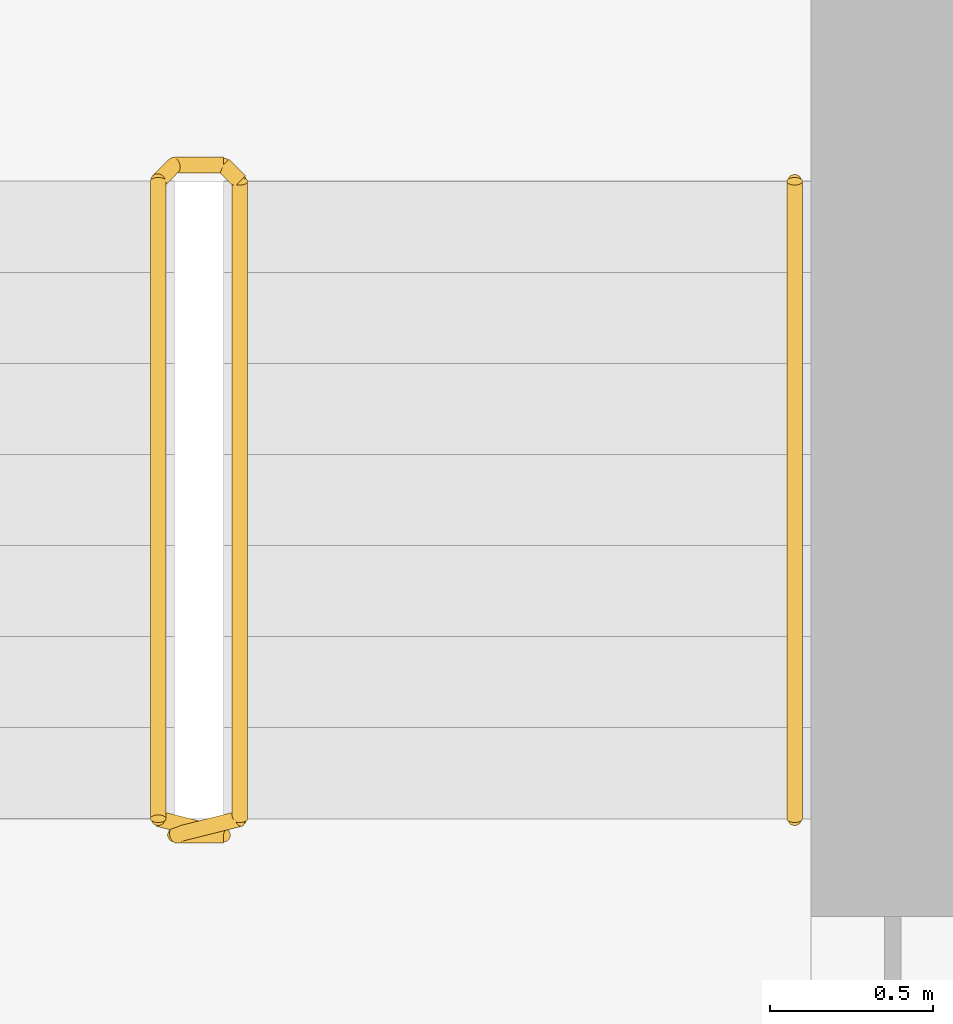
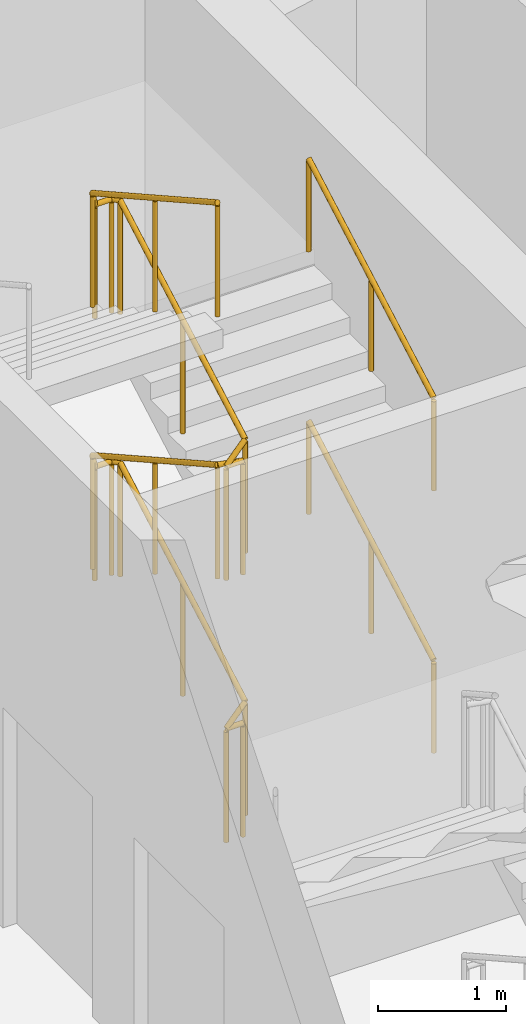
# One storey, part 9 of 9: 3 railings.
"""IFC4 building model written with IfcOpenShell, lengths in metres."""

from ifc_helpers import new_model, si_unit, direction, frame, origin, origin_2d, place, context, subcontext, project, spatial, circle, extrude, material, type_object, element, save


model = new_model("IFC4")

# Units and contexts
model_context = context("Model", 3, precision=1e-05, world=origin(), true_north=direction((0.0, 1.0)))
body_context = subcontext(model_context, "Body", "Model", "MODEL_VIEW")
ifc_project = project(units=[si_unit("LENGTHUNIT", "METRE"), si_unit("AREAUNIT", "SQUARE_METRE"), si_unit("VOLUMEUNIT", "CUBIC_METRE"), si_unit("PLANEANGLEUNIT", "RADIAN"), si_unit("MASSUNIT", "GRAM", prefix="KILO")], contexts=[model_context])

# Site, building, storey
site_placement = place(None, origin())
site = spatial("IfcSite", under=ifc_project, at=site_placement, CompositionType="ELEMENT")
building_placement = place(site_placement, origin())
building = spatial("IfcBuilding", under=site, at=building_placement, Name="Calabash Gate Tower", CompositionType="ELEMENT")
storey_placement = place(building_placement, frame((0.0, 0.0, 325.5)))
storey = spatial("IfcBuildingStorey", under=building, at=storey_placement, Name="L76", CompositionType="ELEMENT", Elevation=325.5)

# Railings
ifc_material_1 = material(Name="Black powder-coated steel balusters", Category="steel")
railing_type_1 = type_object("IfcRailingType", Name="Stair guard RL1100", PredefinedType="GUARDRAIL", material=ifc_material_1)
railing_placement = place(storey_placement, frame((10.300048828125, 13.902587890625, 0.0)))
element("IfcRailing", 1, at=railing_placement, inside=storey, type_object=railing_type_1, Name="L76 ST3 stair guard 1", PredefinedType="GUARDRAIL", context=body_context, shape_type="SweptSolid", body=[
    extrude(circle(Radius=0.02392578125, at=origin_2d()), frame((0.0, 0.0, 1.076171875), z_axis=(-1.0, 0.0, 0.0), x_axis=(0.0, -1.0, 0.0)), (0.0, 0.0, 1.0), 0.150146484375),
    extrude(circle(Radius=0.02392578125, at=origin_2d()), frame((-0.150146484375, 0.0, 1.076171875), z_axis=(0.773438643492, 0.193359660873, 0.603659429067), x_axis=(-0.242535625036, 0.970142500145, 0.0)), (0.0, 0.0, 1.0), 0.2587890625),
    extrude(circle(Radius=0.02392578125, at=origin_2d()), frame((0.050048828125, 0.050048828125, 1.232421875), z_axis=(0.0, 0.872479975208, 0.48864986735), x_axis=(-1.0, 0.0, 0.0)), (0.0, 0.0, 1.0), 2.23828125),
    extrude(circle(Radius=0.02392578125, at=origin_2d()), frame((0.050048828125, 2.0029296875, 2.326171875), z_axis=(-0.707106781187, 0.707106781187, 0.0), x_axis=(-0.707106781187, -0.707106781187, 0.0)), (0.0, 0.0, 1.0), 0.07080078125),
    extrude(circle(Radius=0.02392578125, at=origin_2d()), frame((0.0, 2.052978515625, 2.326171875), z_axis=(-1.0, 0.0, 0.0), x_axis=(0.0, -1.0, 0.0)), (0.0, 0.0, 1.0), 0.150146484375),
    extrude(circle(Radius=0.02392578125, at=origin_2d()), frame((-0.150146484375, 2.052978515625, 2.326171875), z_axis=(-0.290469530425, -0.291893400672, 0.911276958196), x_axis=(0.708833529934, -0.705375805398, 0.0)), (0.0, 0.0, 1.0), 0.17138671875),
    extrude(circle(Radius=0.02392578125, at=origin_2d()), frame((-0.199951171875, 2.0029296875, 2.482421875), z_axis=(0.0, -0.872479975208, 0.48864986735), x_axis=(1.0, 0.0, 0.0)), (0.0, 0.0, 1.0), 2.23828125),
    extrude(circle(Radius=0.02392578125, at=origin_2d()), frame((-0.199951171875, 0.050048828125, 3.576171875), z_axis=(0.970072785993, -0.242814311512, 0.0), x_axis=(0.242814311512, 0.970072785993, 0.0)), (0.0, 0.0, 1.0), 0.2060546875),
    extrude(circle(Radius=0.02392578125, at=origin_2d()), frame((0.0, 0.0, 3.576171875), z_axis=(-1.0, 0.0, 0.0), x_axis=(0.0, -1.0, 0.0)), (0.0, 0.0, 1.0), 0.150146484375),
    extrude(circle(Radius=0.02392578125, at=origin_2d()), frame((-0.150146484375, 0.0, 3.576171875), z_axis=(0.773438643492, 0.193359660873, 0.603659429067), x_axis=(-0.242535625036, 0.970142500145, 0.0)), (0.0, 0.0, 1.0), 0.2587890625),
    extrude(circle(Radius=0.02392578125, at=origin_2d()), frame((0.050048828125, 0.050048828125, 3.732421875), z_axis=(0.0, 0.872479975208, 0.48864986735), x_axis=(-1.0, 0.0, 0.0)), (0.0, 0.0, 1.0), 2.23828125),
    extrude(circle(Radius=0.02392578125, at=origin_2d()), frame((0.050048828125, 2.0029296875, 4.826171875), z_axis=(-0.707106781187, 0.707106781187, 0.0), x_axis=(-0.707106781187, -0.707106781187, 0.0)), (0.0, 0.0, 1.0), 0.07080078125),
    extrude(circle(Radius=0.02392578125, at=origin_2d()), frame((0.0, 2.052978515625, 4.826171875), z_axis=(-1.0, 0.0, 0.0), x_axis=(0.0, -1.0, 0.0)), (0.0, 0.0, 1.0), 0.150146484375),
    extrude(circle(Radius=0.02392578125, at=origin_2d()), frame((-0.150146484375, 2.052978515625, 4.826171875), z_axis=(-0.290469530425, -0.291893400672, 0.911276958196), x_axis=(0.708833529934, -0.705375805398, 0.0)), (0.0, 0.0, 1.0), 0.17138671875),
    extrude(circle(Radius=0.02392578125, at=origin_2d()), frame((-0.199951171875, 2.0029296875, 4.982421875), z_axis=(0.0, -0.872479975208, 0.48864986735), x_axis=(1.0, 0.0, 0.0)), (0.0, 0.0, 1.0), 2.23828125),
    extrude(circle(Radius=0.02099609375, at=origin_2d()), origin(), (0.0, 0.0, 1.0), 1.052001953125),
    extrude(circle(Radius=0.02099609375, at=origin_2d()), frame((-0.150146484375, 0.0, 0.0)), (0.0, 0.0, 1.0), 1.052001953125),
    extrude(circle(Radius=0.02099609375, at=origin_2d()), frame((0.050048828125, 0.050048828125, 0.15625)), (0.0, 0.0, 1.0), 1.052001953125),
    extrude(circle(Radius=0.02099609375, at=origin_2d()), frame((0.050048828125, 1.0263671875, 0.703125)), (0.0, 0.0, 1.0), 1.052001953125),
    extrude(circle(Radius=0.02099609375, at=origin_2d()), frame((0.050048828125, 2.0029296875, 1.25)), (0.0, 0.0, 1.0), 1.052001953125),
    extrude(circle(Radius=0.02099609375, at=origin_2d()), frame((0.0, 2.052978515625, 1.25)), (0.0, 0.0, 1.0), 1.052001953125),
    extrude(circle(Radius=0.02099609375, at=origin_2d()), frame((-0.150146484375, 2.052978515625, 1.25)), (0.0, 0.0, 1.0), 1.052001953125),
    extrude(circle(Radius=0.02099609375, at=origin_2d()), frame((-0.199951171875, 2.0029296875, 1.40625)), (0.0, 0.0, 1.0), 1.052001953125),
    extrude(circle(Radius=0.02099609375, at=origin_2d()), frame((-0.199951171875, 1.0263671875, 1.953125)), (0.0, 0.0, 1.0), 1.052001953125),
    extrude(circle(Radius=0.02099609375, at=origin_2d()), frame((-0.199951171875, 0.050048828125, 2.5)), (0.0, 0.0, 1.0), 1.052001953125),
    extrude(circle(Radius=0.02099609375, at=origin_2d()), frame((0.0, 0.0, 2.5)), (0.0, 0.0, 1.0), 1.052001953125),
    extrude(circle(Radius=0.02099609375, at=origin_2d()), frame((-0.150146484375, 0.0, 2.5)), (0.0, 0.0, 1.0), 1.052001953125),
    extrude(circle(Radius=0.02099609375, at=origin_2d()), frame((0.050048828125, 0.050048828125, 2.65625)), (0.0, 0.0, 1.0), 1.052001953125),
    extrude(circle(Radius=0.02099609375, at=origin_2d()), frame((0.050048828125, 1.0263671875, 3.203125)), (0.0, 0.0, 1.0), 1.052001953125),
    extrude(circle(Radius=0.02099609375, at=origin_2d()), frame((0.050048828125, 2.0029296875, 3.75)), (0.0, 0.0, 1.0), 1.052001953125),
    extrude(circle(Radius=0.02099609375, at=origin_2d()), frame((0.0, 2.052978515625, 3.75)), (0.0, 0.0, 1.0), 1.052001953125),
    extrude(circle(Radius=0.02099609375, at=origin_2d()), frame((-0.150146484375, 2.052978515625, 3.75)), (0.0, 0.0, 1.0), 1.052001953125),
    extrude(circle(Radius=0.02099609375, at=origin_2d()), frame((-0.199951171875, 2.0029296875, 3.90625)), (0.0, 0.0, 1.0), 1.052001953125),
    extrude(circle(Radius=0.02099609375, at=origin_2d()), frame((-0.199951171875, 1.0263671875, 4.453125)), (0.0, 0.0, 1.0), 1.052001953125),
    extrude(circle(Radius=0.02099609375, at=origin_2d()), frame((-0.199951171875, 0.050048828125, 5.0)), (0.0, 0.0, 1.0), 1.052001953125),
])
ifc_material_2 = material(Name="Black powder-coated steel tube 48 mm", Category="steel")
railing_type_2 = type_object("IfcRailingType", Name="Stair handrail RL900", PredefinedType="HANDRAIL", material=ifc_material_2)
for number, where, name in (
    (2, (12.050048828125, 13.95263671875, 0.15625), "L76 ST3 stair handrail 1"),
    (3, (12.050048828125, 13.95263671875, 2.65625), "L76 ST3 stair handrail 3"),
):
    element("IfcRailing", number, at=place(storey_placement, frame(where)), inside=storey, type_object=railing_type_2, Name=name, PredefinedType="HANDRAIL", context=body_context, shape_type="SweptSolid", body=[
        extrude(circle(Radius=0.02392578125, at=origin_2d()), frame((0.0, 0.0, 0.8759765625), z_axis=(0.0, 0.872479975208, 0.48864986735), x_axis=(-1.0, 0.0, 0.0)), (0.0, 0.0, 1.0), 2.23828125),
        extrude(circle(Radius=0.02099609375, at=origin_2d()), origin(), (0.0, 0.0, 1.0), 0.851806640625),
        extrude(circle(Radius=0.02099609375, at=origin_2d()), frame((0.0, 0.9765625, 0.546875)), (0.0, 0.0, 1.0), 0.851806640625),
        extrude(circle(Radius=0.02099609375, at=origin_2d()), frame((0.0, 1.952880859375, 1.09375)), (0.0, 0.0, 1.0), 0.851806640625),
    ])

save(model, "model.ifc")
